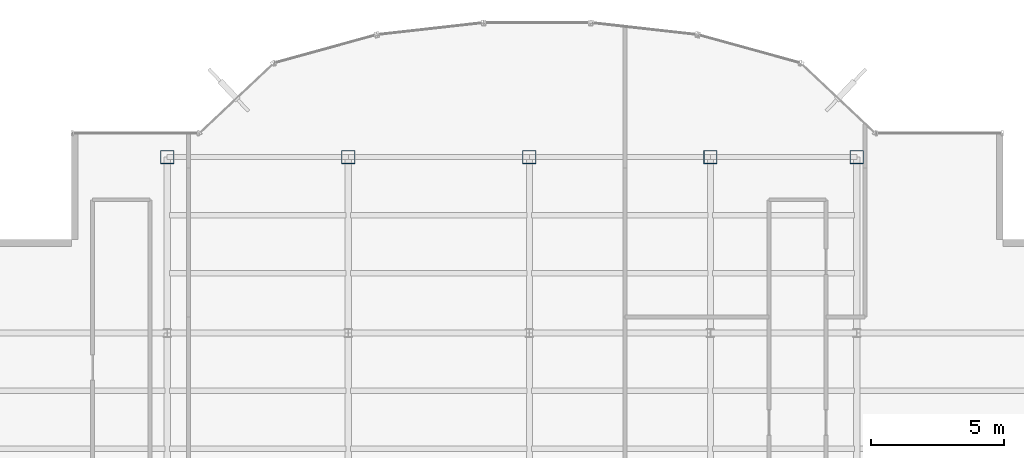
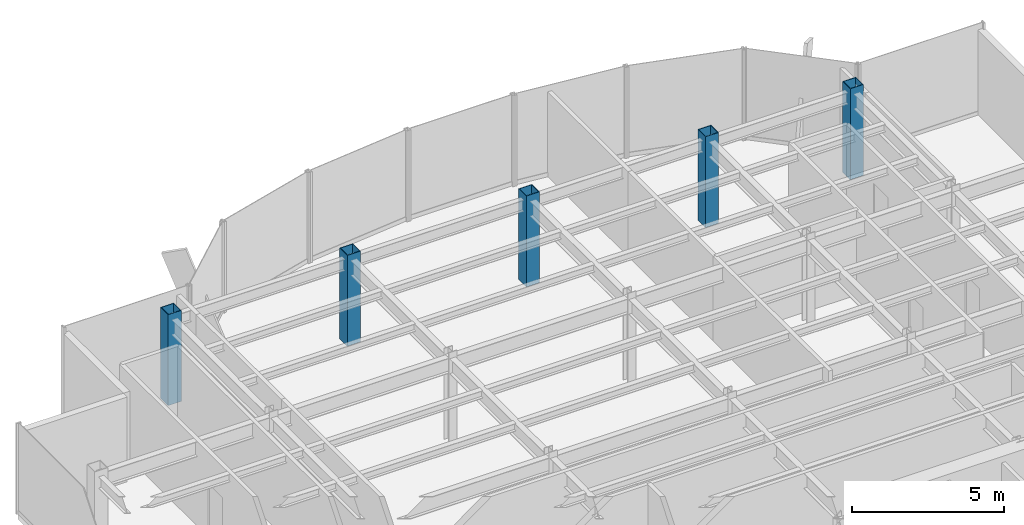
# One storey, part 2 of 22: 5 columns.
"""IFC4 building model written with IfcOpenShell, lengths in metres."""

from ifc_helpers import new_model, si_unit, derived_unit, direction, frame, origin, origin_2d, place, context, subcontext, project, spatial, hollow_rectangle, extrude, source, transform, mapped, material, material_profile, profile_set, type_object, element, save


model = new_model("IFC4")

# Units and contexts
model_context = context("Model", 3, precision=1e-05, world=origin(), true_north=direction((0.0, 1.0)))
body_context = subcontext(model_context, "Body", "Model", "MODEL_VIEW")
ifc_project = project(units=[si_unit("LENGTHUNIT", "METRE"), si_unit("AREAUNIT", "SQUARE_METRE"), si_unit("VOLUMEUNIT", "CUBIC_METRE"), si_unit("PLANEANGLEUNIT", "RADIAN"), si_unit("MASSUNIT", "GRAM", prefix="KILO"), derived_unit("THERMALTRANSMITTANCEUNIT", [(si_unit("POWERUNIT", "WATT"), 1), (si_unit("LENGTHUNIT", "METRE"), -2), (si_unit("THERMODYNAMICTEMPERATUREUNIT", "KELVIN"), -1)])], contexts=[model_context])

# Site, building, storey
site_placement = place(None, origin())
site = spatial("IfcSite", under=ifc_project, at=site_placement, CompositionType="ELEMENT")
building_placement = place(site_placement, origin())
building = spatial("IfcBuilding", under=site, at=building_placement, Name="Skarnbrae Concourse Arena and Tower", CompositionType="ELEMENT")
storey_placement = place(building_placement, frame((0.0, 0.0, 262.449951171875)))
storey = spatial("IfcBuildingStorey", under=building, at=storey_placement, Name="L68", CompositionType="ELEMENT", Elevation=262.449951171875)

# Columns
ifc_material = material(Name="Steel CSA G40.21 350W", Category="steel")
ifc_material_profile = material_profile(ifc_material, hollow_rectangle(XDim=0.5, YDim=0.5, WallThickness=0.02197265625, at=origin_2d()), Name="HSS500X500X22.0")
ifc_profile_set = profile_set([ifc_material_profile], Name="Steel CSA G40.21 350W")
column_type = type_object("IfcColumnType", Name="COL-TUBE-HSS500", PredefinedType="COLUMN", material=ifc_profile_set)
shared_shape = source(origin(), body_context, "Body", "SweptSolid", [
    extrude(hollow_rectangle(XDim=0.5, YDim=0.5, WallThickness=0.02197265625, at=origin_2d()), origin(), (0.0, 0.0, 1.0), 3.650146484375),
])
for number, where, z_axis, x_axis, name in (
    (1, (7.60009765625, 34.39990234375, 0.0), (0.0, 0.0, 1.0), (1.0, 0.0, 0.0), "L68 Tower column PC_02_05"),
    (2, (14.39990234375, 34.39990234375, 0.0), (0.0, 0.0, 1.0), (1.0, 0.0, 0.0), "L68 Tower column PC_03_05"),
    (3, (21.199951171875, 34.39990234375, 0.0), (0.0, 0.0, 1.0), (1.0, 0.0, 0.0), "L68 Tower column PC_04_05"),
    (4, (28.0, 34.39990234375, 0.0), (0.0, 0.0, 1.0), (1.0, 0.0, 0.0), "L68 Tower column PC_05_05"),
    (5, (33.5, 34.39990234375, 0.0), (0.0, 0.0, 1.0), (1.0, 0.0, 0.0), "L68 Tower column PC_06_05"),
):
    element("IfcColumn", number, at=place(storey_placement, frame(where, z_axis=z_axis, x_axis=x_axis)), inside=storey, type_object=column_type, Name=name, PredefinedType="COLUMN", context=body_context, shape_type="MappedRepresentation", body=[
        mapped(shared_shape, transform((0.0, 0.0, 0.0))),
    ])

save(model, "model.ifc")
